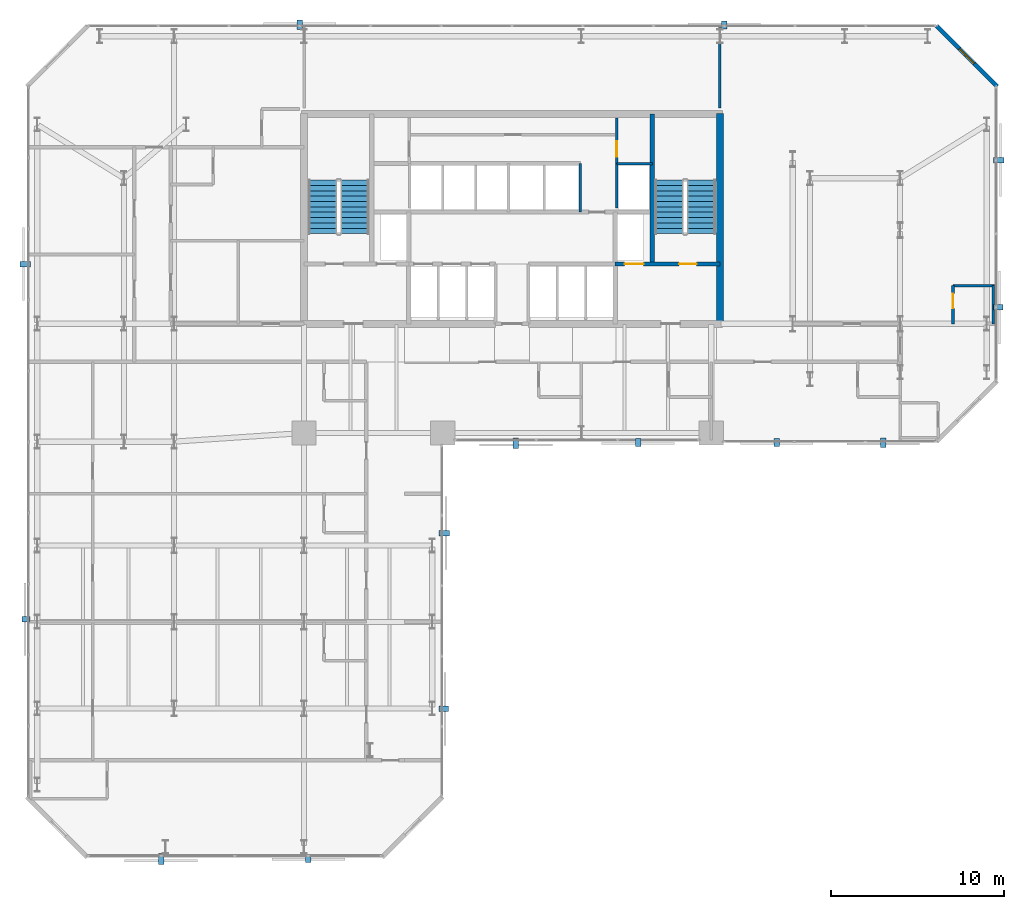
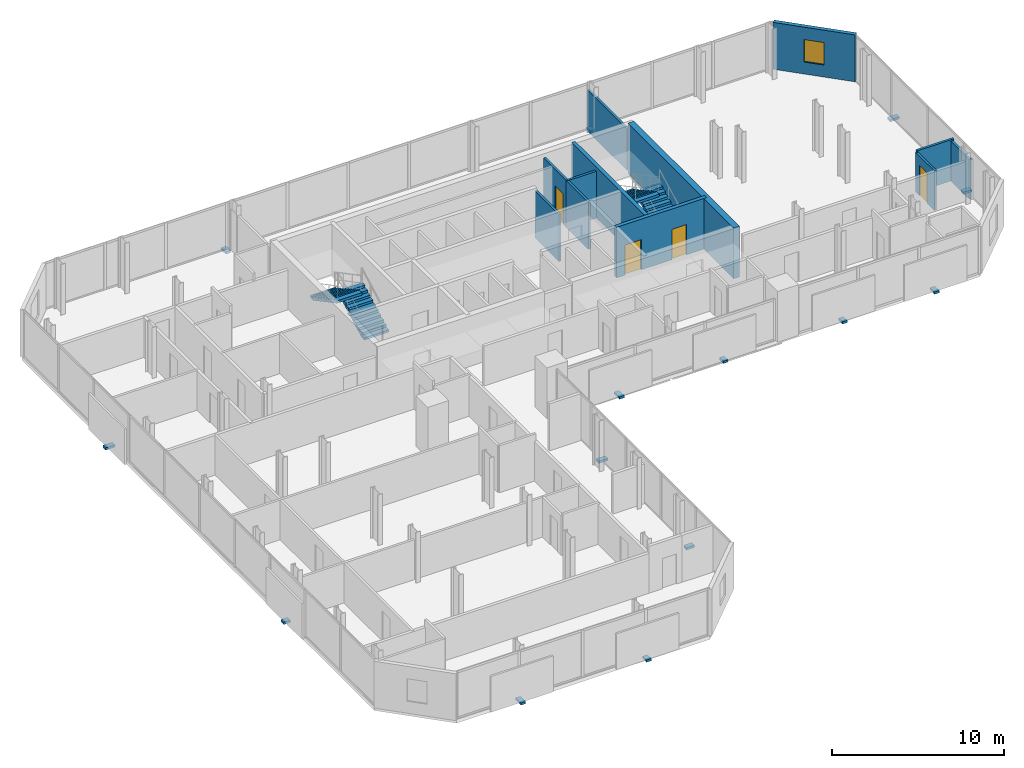
# One storey, part 31 of 33: 14 discrete accessories, 12 walls, 4 doors, 4 stair flights, 1 window, 5 openings, 2 elements without a shape of their own.
"""IFC4 building model written with IfcOpenShell, lengths in metres."""

from ifc_helpers import new_model, si_unit, direction, frame, frame_2d, origin, origin_2d, place, context, subcontext, project, spatial, polyline, rectangle, outline, extrude, material, layer, layer_set, type_object, element, fill, aggregate, save


model = new_model("IFC4")

# Units and contexts
model_context = context("Model", 3, precision=1e-05, world=origin(), true_north=direction((0.0, 1.0)))
body_context = subcontext(model_context, "Body", "Model", "MODEL_VIEW")
ifc_project = project(units=[si_unit("LENGTHUNIT", "METRE"), si_unit("AREAUNIT", "SQUARE_METRE"), si_unit("VOLUMEUNIT", "CUBIC_METRE"), si_unit("PLANEANGLEUNIT", "RADIAN"), si_unit("MASSUNIT", "GRAM", prefix="KILO")], contexts=[model_context])

# Site, building, storey
site_placement = place(None, origin())
site = spatial("IfcSite", under=ifc_project, at=site_placement, CompositionType="ELEMENT")
building_placement = place(site_placement, origin())
building = spatial("IfcBuilding", under=site, at=building_placement, Name="Catumbela Crestline Tower", CompositionType="ELEMENT")
storey_placement = place(building_placement, frame((0.0, 0.0, 47.4)))
storey = spatial("IfcBuildingStorey", under=building, at=storey_placement, Name="L11", CompositionType="ELEMENT", Elevation=47.4)

# Wall
ifc_material_1 = material(Name="Concrete C50/60", Category="concrete")
ifc_layer_1 = layer(ifc_material_1, 0.25, Name="Concrete C50/60")
ifc_layer_set_1 = layer_set([ifc_layer_1], Name="Concrete C50/60")
wall_type_1 = type_object("IfcWallType", Name="CW-250D", PredefinedType="SHEAR", material=ifc_layer_set_1)
wall_1_placement = place(storey_placement, frame((36.1, 34.25, 0.0), z_axis=(0.0, 0.0, 1.0), x_axis=(0.0, 1.0, 0.0)))
element("IfcWall", 1, at=wall_1_placement, inside=storey, type_object=wall_type_1, Name="L11 Structural Core Shear Wall EWEB", PredefinedType="SHEAR", context=body_context, shape_type="SweptSolid", body=[
    extrude(rectangle(XDim=8.65, YDim=0.25, at=frame_2d((4.325, 0.0))), origin(), (0.0, 0.0, 1.0), 3.6),
])

# Wall, openings, doors
wall_2_placement = place(storey_placement, frame((33.95, 34.25, 0.0), z_axis=(0.0, 0.0, 1.0), x_axis=(1.0, 0.0, 0.0)))
wall_2 = element("IfcWall", 2, at=wall_2_placement, inside=storey, type_object=wall_type_1, Name="L11 Structural Core Shear Wall ST2S", PredefinedType="SHEAR", context=body_context, shape_type="SweptSolid", body=[
    extrude(rectangle(XDim=6.05, YDim=0.25, at=frame_2d((3.025, 0.0))), origin(), (0.0, 0.0, 1.0), 3.6),
])
opening_1_placement = place(wall_2_placement, frame((3.7, 0.0, 0.0)))
opening_1 = element("IfcOpeningElement", 3, at=opening_1_placement, cuts=wall_2, Name="Opening DF9-100", PredefinedType="OPENING", context=body_context, shape_type="SweptSolid", body=[
    extrude(rectangle(XDim=1.0, YDim=2.15, at=frame_2d((0.5, 1.075))), frame((0.0, 0.135, 0.0), z_axis=(0.0, -1.0, 0.0), x_axis=(1.0, 0.0, 0.0)), (0.0, 0.0, 1.0), 0.27),
])
opening_2_placement = place(wall_2_placement, frame((0.55, 0.0, 0.0)))
opening_2 = element("IfcOpeningElement", 4, at=opening_2_placement, cuts=wall_2, Name="Opening LD-110", PredefinedType="OPENING", context=body_context, shape_type="SweptSolid", body=[
    extrude(rectangle(XDim=1.1, YDim=2.15, at=frame_2d((0.55, 1.075))), frame((0.0, 0.135, 0.0), z_axis=(0.0, -1.0, 0.0), x_axis=(1.0, 0.0, 0.0)), (0.0, 0.0, 1.0), 0.27),
])
ifc_material_2 = material(Name="Stainless steel EN 1.4401", Category="steel")
door_type_1 = type_object("IfcDoorType", Name="DF9-100", OperationType="NOTDEFINED", PredefinedType="DOOR", material=ifc_material_2)
door_1_placement = place(opening_1_placement, origin())
door_1 = element("IfcDoor", 5, at=door_1_placement, inside=storey, type_object=door_type_1, Name="L11 Interior Door DR-L11-ST02", OperationType="SINGLE_SWING_RIGHT", OverallHeight=2.15, OverallWidth=1.0, PredefinedType="DOOR", context=body_context, shape_type="SweptSolid", body=[
    extrude(rectangle(XDim=1.0, YDim=2.15, at=frame_2d((0.5, 1.075))), frame((0.0, 0.025, 0.0), z_axis=(0.0, -1.0, 0.0), x_axis=(1.0, 0.0, 0.0)), (0.0, 0.0, 1.0), 0.05),
])
fill(opening_1, door_1)
door_type_2 = type_object("IfcDoorType", Name="LD-110", OperationType="NOTDEFINED", PredefinedType="DOOR", material=ifc_material_2)
door_2_placement = place(opening_2_placement, origin())
door_2 = element("IfcDoor", 6, at=door_2_placement, inside=storey, type_object=door_type_2, Name="L11 Lift Landing Sliding Door FL-02", OperationType="DOUBLE_DOOR_SLIDING", OverallHeight=2.15, OverallWidth=1.1, PredefinedType="DOOR", context=body_context, shape_type="SweptSolid", body=[
    extrude(rectangle(XDim=1.1, YDim=2.15, at=frame_2d((0.55, 1.075))), frame((0.0, 0.025, 0.0), z_axis=(0.0, -1.0, 0.0), x_axis=(1.0, 0.0, 0.0)), (0.0, 0.0, 1.0), 0.05),
])
fill(opening_2, door_2)

# Wall
ifc_material_3 = material(Name="Concrete C60/75", Category="concrete")
ifc_layer_2 = layer(ifc_material_3, 0.4, Name="Concrete C60/75")
ifc_layer_set_2 = layer_set([ifc_layer_2], Name="Concrete C60/75")
wall_type_2 = type_object("IfcWallType", Name="CW-400A", PredefinedType="SHEAR", material=ifc_layer_set_2)
wall_3_placement = place(storey_placement, frame((40.0, 30.65, 0.0), z_axis=(0.0, 0.0, 1.0), x_axis=(0.0, 1.0, 0.0)))
element("IfcWall", 7, at=wall_3_placement, inside=storey, type_object=wall_type_2, Name="L11 Structural Core Shear Wall E", PredefinedType="SHEAR", context=body_context, shape_type="SweptSolid", body=[
    extrude(rectangle(XDim=12.3, YDim=0.4, at=frame_2d((6.15, 0.0))), origin(), (0.0, 0.0, 1.0), 3.6),
])

# Wall, opening, window
ifc_material_4 = material(Name="Angolan grey-ochre granite", Category="masonry")
ifc_layer_3 = layer(ifc_material_4, 0.25, Name="Angolan grey-ochre granite")
ifc_layer_set_3 = layer_set([ifc_layer_3], Name="Angolan grey-ochre granite")
wall_type_3 = type_object("IfcWallType", Name="WE-250", PredefinedType="STANDARD", material=ifc_layer_set_3)
wall_4_placement = place(storey_placement, frame((56.0, 44.5, 0.0), z_axis=(0.0, 0.0, 1.0), x_axis=(-0.707106781187, 0.707106781187, 0.0)))
wall_4 = element("IfcWall", 8, at=wall_4_placement, inside=storey, type_object=wall_type_3, Name="L11 Granite Punched Window Wall 6-1", PredefinedType="STANDARD", context=body_context, shape_type="SweptSolid", body=[
    extrude(rectangle(XDim=4.9497, YDim=0.25, at=frame_2d((2.4748, 0.0))), origin(), (0.0, 0.0, 1.0), 3.33),
])
opening_3_placement = place(wall_4_placement, frame((1.8748, 0.0, 0.85)))
opening_3 = element("IfcOpeningElement", 9, at=opening_3_placement, cuts=wall_4, Name="Opening WN-02", PredefinedType="OPENING", context=body_context, shape_type="SweptSolid", body=[
    extrude(rectangle(XDim=1.2, YDim=1.6, at=frame_2d((0.6, 0.8))), frame((0.0, 0.135, 0.0), z_axis=(0.0, -1.0, 0.0), x_axis=(1.0, 0.0, 0.0)), (0.0, 0.0, 1.0), 0.27),
])
ifc_material_5 = material(Name="Low-E laminated solar-control double glazing", Category="glass")
window_type = type_object("IfcWindowType", Name="WO-1200", PartitioningType="SINGLE_PANEL", PredefinedType="WINDOW", material=ifc_material_5)
window_placement = place(opening_3_placement, origin())
window = element("IfcWindow", 10, at=window_placement, inside=storey, type_object=window_type, Name="L11 Facade Vision Window 80", OverallHeight=1.6, OverallWidth=1.2, PartitioningType="SINGLE_PANEL", PredefinedType="WINDOW", context=body_context, shape_type="SweptSolid", body=[
    extrude(rectangle(XDim=1.2, YDim=1.6, at=frame_2d((0.6, 0.8))), frame((0.0, 0.03, 0.0), z_axis=(0.0, -1.0, 0.0), x_axis=(1.0, 0.0, 0.0)), (0.0, 0.0, 1.0), 0.06),
])
fill(opening_3, window)

# Wall
ifc_material_6 = material(Name="Acoustic gypsum and mineral-wool partition")
ifc_layer_4 = layer(ifc_material_6, 0.15, Name="Acoustic gypsum and mineral-wool partition")
ifc_layer_set_4 = layer_set([ifc_layer_4], Name="Acoustic gypsum and mineral-wool partition")
wall_type_4 = type_object("IfcWallType", Name="WP-150", PredefinedType="PARTITIONING", material=ifc_layer_set_4)
wall_5_placement = place(storey_placement, frame((34.05, 40.05, 0.0), z_axis=(0.0, 0.0, 1.0), x_axis=(1.0, 0.0, 0.0)))
element("IfcWall", 11, at=wall_5_placement, inside=storey, type_object=wall_type_4, Name="L11 Interior Partition PW-L11-CR-ES", PredefinedType="PARTITIONING", context=body_context, shape_type="SweptSolid", body=[
    extrude(rectangle(XDim=2.05, YDim=0.15, at=frame_2d((1.025, 0.0))), origin(), (0.0, 0.0, 1.0), 3.33),
])

# Wall, opening, door
wall_6_placement = place(storey_placement, frame((34.05, 40.05, 0.0), z_axis=(0.0, 0.0, 1.0), x_axis=(0.0, 1.0, 0.0)))
wall_6 = element("IfcWall", 12, at=wall_6_placement, inside=storey, type_object=wall_type_4, Name="L11 Interior Partition PW-L11-CR-EW", PredefinedType="PARTITIONING", context=body_context, shape_type="SweptSolid", body=[
    extrude(rectangle(XDim=2.63, YDim=0.15, at=frame_2d((1.315, 0.0))), origin(), (0.0, 0.0, 1.0), 3.33),
])
opening_4_placement = place(wall_6_placement, frame((0.385, 0.0, 0.0)))
opening_4 = element("IfcOpeningElement", 13, at=opening_4_placement, cuts=wall_6, Name="Opening DF9-090", PredefinedType="OPENING", context=body_context, shape_type="SweptSolid", body=[
    extrude(rectangle(XDim=0.9, YDim=2.15, at=frame_2d((0.45, 1.075))), frame((0.0, 0.085, 0.0), z_axis=(0.0, -1.0, 0.0), x_axis=(1.0, 0.0, 0.0)), (0.0, 0.0, 1.0), 0.17),
])
door_type_3 = type_object("IfcDoorType", Name="DF9-090", OperationType="NOTDEFINED", PredefinedType="DOOR", material=ifc_material_2)
door_3_placement = place(opening_4_placement, origin())
door_3 = element("IfcDoor", 14, at=door_3_placement, inside=storey, type_object=door_type_3, Name="L11 Interior Door DR-L11-CREAST", OperationType="SINGLE_SWING_RIGHT", OverallHeight=2.15, OverallWidth=0.9, PredefinedType="DOOR", context=body_context, shape_type="SweptSolid", body=[
    extrude(rectangle(XDim=0.9, YDim=2.15, at=frame_2d((0.45, 1.075))), frame((0.0, 0.025, 0.0), z_axis=(0.0, -1.0, 0.0), x_axis=(1.0, 0.0, 0.0)), (0.0, 0.0, 1.0), 0.05),
])
fill(opening_4, door_3)

# Walls
wall_7_placement = place(storey_placement, frame((40.0, 43.27, 0.0), z_axis=(0.0, 0.0, 1.0), x_axis=(0.0, 1.0, 0.0)))
element("IfcWall", 15, at=wall_7_placement, inside=storey, type_object=wall_type_4, Name="L11 Interior Partition PW-L11-NCF-E", PredefinedType="PARTITIONING", context=body_context, shape_type="SweptSolid", body=[
    extrude(rectangle(XDim=4.63, YDim=0.15, at=frame_2d((2.315, 0.0))), origin(), (0.0, 0.0, 1.0), 2.93),
])
wall_8_placement = place(storey_placement, frame((53.45, 33.0, 0.0), z_axis=(0.0, 0.0, 1.0), x_axis=(1.0, 0.0, 0.0)))
element("IfcWall", 16, at=wall_8_placement, inside=storey, type_object=wall_type_4, Name="L11 Interior Partition PW-L11-NES-BHW", PredefinedType="PARTITIONING", context=body_context, shape_type="SweptSolid", body=[
    extrude(rectangle(XDim=2.45, YDim=0.15, at=frame_2d((1.225, 0.0))), origin(), (0.0, 0.0, 1.0), 2.93),
])

# Wall, opening, door
wall_9_placement = place(storey_placement, frame((53.45, 30.8, 0.0), z_axis=(0.0, 0.0, 1.0), x_axis=(0.0, 1.0, 0.0)))
wall_9 = element("IfcWall", 17, at=wall_9_placement, inside=storey, type_object=wall_type_4, Name="L11 Interior Partition PW-L11-NES-BWW", PredefinedType="PARTITIONING", context=body_context, shape_type="SweptSolid", body=[
    extrude(rectangle(XDim=2.2, YDim=0.15, at=frame_2d((1.1, 0.0))), origin(), (0.0, 0.0, 1.0), 2.82),
])
opening_5_placement = place(wall_9_placement, frame((0.8925, 0.0, 0.0)))
opening_5 = element("IfcOpeningElement", 18, at=opening_5_placement, cuts=wall_9, Name="Opening DI-085", PredefinedType="OPENING", context=body_context, shape_type="SweptSolid", body=[
    extrude(rectangle(XDim=0.85, YDim=2.15, at=frame_2d((0.425, 1.075))), frame((0.0, 0.085, 0.0), z_axis=(0.0, -1.0, 0.0), x_axis=(1.0, 0.0, 0.0)), (0.0, 0.0, 1.0), 0.17),
])
ifc_material_7 = material(Name="Aluminium alloy AW-6060-T66", Category="aluminium")
door_type_4 = type_object("IfcDoorType", Name="DI-085", OperationType="NOTDEFINED", PredefinedType="DOOR", material=ifc_material_7)
door_4_placement = place(opening_5_placement, origin())
door_4 = element("IfcDoor", 19, at=door_4_placement, inside=storey, type_object=door_type_4, Name="L11 Interior Door DR-L11-NES-BTH", OperationType="SINGLE_SWING_RIGHT", OverallHeight=2.15, OverallWidth=0.85, PredefinedType="DOOR", context=body_context, shape_type="SweptSolid", body=[
    extrude(rectangle(XDim=0.85, YDim=2.15, at=frame_2d((0.425, 1.075))), frame((0.0, 0.025, 0.0), z_axis=(0.0, -1.0, 0.0), x_axis=(1.0, 0.0, 0.0)), (0.0, 0.0, 1.0), 0.05),
])
fill(opening_5, door_4)

# Walls
wall_10_placement = place(storey_placement, frame((55.78, 33.0, 0.0), z_axis=(0.0, 0.0, 1.0), x_axis=(0.0, -1.0, 0.0)))
element("IfcWall", 20, at=wall_10_placement, inside=storey, type_object=wall_type_4, Name="L11 Interior Partition PW-L11-NES-BCL-2", PredefinedType="PARTITIONING", context=body_context, shape_type="SweptSolid", body=[
    extrude(rectangle(XDim=2.2, YDim=0.15, at=frame_2d((1.1, 0.0))), origin(), (0.0, 0.0, 1.0), 2.82),
])
ifc_layer_5 = layer(ifc_material_6, 0.15, Name="Acoustic gypsum and mineral-wool partition")
ifc_layer_set_5 = layer_set([ifc_layer_5], Name="Acoustic gypsum and mineral-wool partition")
wall_type_5 = type_object("IfcWallType", Name="WS-150", PredefinedType="PLUMBINGWALL", material=ifc_layer_set_5)
wall_11_placement = place(storey_placement, frame((31.95, 37.25, 0.0), z_axis=(0.0, 0.0, 1.0), x_axis=(0.0, 1.0, 0.0)))
element("IfcWall", 21, at=wall_11_placement, inside=storey, type_object=wall_type_5, Name="L11 Interior Partition PW-L11-SHEX2E", PredefinedType="PLUMBINGWALL", context=body_context, shape_type="SweptSolid", body=[
    extrude(rectangle(XDim=2.8, YDim=0.15, at=frame_2d((1.4, 0.0))), origin(), (0.0, 0.0, 1.0), 3.33),
])
wall_12_placement = place(storey_placement, frame((34.05, 37.4734, 0.0), z_axis=(0.0, 0.0, 1.0), x_axis=(0.0, 1.0, 0.0)))
element("IfcWall", 22, at=wall_12_placement, inside=storey, type_object=wall_type_5, Name="L11 Interior Partition PW-L11-RISW", PredefinedType="PLUMBINGWALL", context=body_context, shape_type="SweptSolid", body=[
    extrude(rectangle(XDim=2.5766, YDim=0.15, at=frame_2d((1.2883, 0.0))), origin(), (0.0, 0.0, 1.0), 3.33),
])

# Stair, stair flights
ifc_material_8 = material(Name="Concrete C45/55", Category="concrete")
stair_type = type_object("IfcStairType", Name="ST-DLG", PredefinedType="HALF_TURN_STAIR", material=ifc_material_8)
stair_1_placement = place(storey_placement, origin())
stair_1 = element("IfcStair", 23, at=stair_1_placement, inside=storey, type_object=stair_type, Name="L11 West Core Pressurised Exit Stair ST-01", PredefinedType="HALF_TURN_STAIR")
stair_flight_type = type_object("IfcStairFlightType", Name="SF-1636", PredefinedType="STRAIGHT", material=ifc_material_8)
stair_flight_1_placement = place(storey_placement, frame((18.92, 36.0, 0.0), z_axis=(0.0, 0.0, 1.0), x_axis=(0.0, 1.0, 0.0)))
stair_flight_1 = element("IfcStairFlight", 24, at=stair_flight_1_placement, type_object=stair_flight_type, Name="ST-01 flight 1", NumberOfRisers=11, NumberOfTreads=10, PredefinedType="STRAIGHT", RiserHeight=0.163636364, TreadLength=0.31, context=body_context, shape_type="SweptSolid", body=[
    extrude(outline(polyline([(0.0, 0.0), (0.0, 0.1636), (0.31, 0.1636), (0.31, 0.3273), (0.62, 0.3273), (0.62, 0.4909), (0.93, 0.4909), (0.93, 0.6545), (1.24, 0.6545), (1.24, 0.8182), (1.55, 0.8182), (1.55, 0.9818), (1.86, 0.9818), (1.86, 1.1455), (2.17, 1.1455), (2.17, 1.3091), (2.48, 1.3091), (2.48, 1.4727), (2.79, 1.4727), (2.79, 1.6364), (3.1, 1.6364), (3.1, 1.8), (3.1, 1.4554), (0.3427, 0.0), (0.0, 0.0)])), frame((0.0, 0.83, 0.0), z_axis=(0.0, -1.0, 0.0), x_axis=(1.0, 0.0, 0.0)), (0.0, 0.0, 1.0), 1.66),
])
stair_flight_2_placement = place(storey_placement, frame((17.08, 39.1, 1.8), z_axis=(0.0, 0.0, 1.0), x_axis=(0.0, -1.0, 0.0)))
stair_flight_2 = element("IfcStairFlight", 25, at=stair_flight_2_placement, type_object=stair_flight_type, Name="ST-01 flight 2", NumberOfRisers=11, NumberOfTreads=10, PredefinedType="STRAIGHT", RiserHeight=0.163636364, TreadLength=0.31, context=body_context, shape_type="SweptSolid", body=[
    extrude(outline(polyline([(0.0, 0.0), (0.0, 0.1636), (0.31, 0.1636), (0.31, 0.3273), (0.62, 0.3273), (0.62, 0.4909), (0.93, 0.4909), (0.93, 0.6545), (1.24, 0.6545), (1.24, 0.8182), (1.55, 0.8182), (1.55, 0.9818), (1.86, 0.9818), (1.86, 1.1455), (2.17, 1.1455), (2.17, 1.3091), (2.48, 1.3091), (2.48, 1.4727), (2.79, 1.4727), (2.79, 1.6364), (3.1, 1.6364), (3.1, 1.8), (3.1, 1.4554), (0.3427, 0.0), (0.0, 0.0)])), frame((0.0, 0.83, 0.0), z_axis=(0.0, -1.0, 0.0), x_axis=(1.0, 0.0, 0.0)), (0.0, 0.0, 1.0), 1.66),
])
aggregate(stair_1, [stair_flight_1, stair_flight_2])

stair_2_placement = place(storey_placement, origin())
stair_2 = element("IfcStair", 26, at=stair_2_placement, inside=storey, type_object=stair_type, Name="L11 East Core Pressurised Exit Stair ST-02", PredefinedType="HALF_TURN_STAIR")
stair_flight_3_placement = place(storey_placement, frame((38.92, 36.0, 0.0), z_axis=(0.0, 0.0, 1.0), x_axis=(0.0, 1.0, 0.0)))
stair_flight_3 = element("IfcStairFlight", 27, at=stair_flight_3_placement, type_object=stair_flight_type, Name="ST-02 flight 1", NumberOfRisers=11, NumberOfTreads=10, PredefinedType="STRAIGHT", RiserHeight=0.163636364, TreadLength=0.31, context=body_context, shape_type="SweptSolid", body=[
    extrude(outline(polyline([(0.0, 0.0), (0.0, 0.1636), (0.31, 0.1636), (0.31, 0.3273), (0.62, 0.3273), (0.62, 0.4909), (0.93, 0.4909), (0.93, 0.6545), (1.24, 0.6545), (1.24, 0.8182), (1.55, 0.8182), (1.55, 0.9818), (1.86, 0.9818), (1.86, 1.1455), (2.17, 1.1455), (2.17, 1.3091), (2.48, 1.3091), (2.48, 1.4727), (2.79, 1.4727), (2.79, 1.6364), (3.1, 1.6364), (3.1, 1.8), (3.1, 1.4554), (0.3427, 0.0), (0.0, 0.0)])), frame((0.0, 0.83, 0.0), z_axis=(0.0, -1.0, 0.0), x_axis=(1.0, 0.0, 0.0)), (0.0, 0.0, 1.0), 1.66),
])
stair_flight_4_placement = place(storey_placement, frame((37.08, 39.1, 1.8), z_axis=(0.0, 0.0, 1.0), x_axis=(0.0, -1.0, 0.0)))
stair_flight_4 = element("IfcStairFlight", 28, at=stair_flight_4_placement, type_object=stair_flight_type, Name="ST-02 flight 2", NumberOfRisers=11, NumberOfTreads=10, PredefinedType="STRAIGHT", RiserHeight=0.163636364, TreadLength=0.31, context=body_context, shape_type="SweptSolid", body=[
    extrude(outline(polyline([(0.0, 0.0), (0.0, 0.1636), (0.31, 0.1636), (0.31, 0.3273), (0.62, 0.3273), (0.62, 0.4909), (0.93, 0.4909), (0.93, 0.6545), (1.24, 0.6545), (1.24, 0.8182), (1.55, 0.8182), (1.55, 0.9818), (1.86, 0.9818), (1.86, 1.1455), (2.17, 1.1455), (2.17, 1.3091), (2.48, 1.3091), (2.48, 1.4727), (2.79, 1.4727), (2.79, 1.6364), (3.1, 1.6364), (3.1, 1.8), (3.1, 1.4554), (0.3427, 0.0), (0.0, 0.0)])), frame((0.0, 0.83, 0.0), z_axis=(0.0, -1.0, 0.0), x_axis=(1.0, 0.0, 0.0)), (0.0, 0.0, 1.0), 1.66),
])
aggregate(stair_2, [stair_flight_3, stair_flight_4])

# Discrete accessories
discrete_accessory_type = type_object("IfcDiscreteAccessoryType", Name="BK-SS1", PredefinedType="BRACKET", material=ifc_material_2)
discrete_accessory_1_placement = place(storey_placement, frame((7.75, -0.085, -0.18), z_axis=(0.0, 0.0, 1.0), x_axis=(1.0, 0.0, 0.0)))
element("IfcDiscreteAccessory", 29, at=discrete_accessory_1_placement, inside=storey, type_object=discrete_accessory_type, Name="L11 Solar Screen Stainless Bracket 85", PredefinedType="BRACKET", context=body_context, shape_type="SweptSolid", body=[
    extrude(rectangle(XDim=0.32, YDim=0.62, at=origin_2d()), origin(), (0.0, 0.0, 1.0), 0.16),
])
discrete_accessory_2_placement = place(storey_placement, frame((16.25, -0.045, -0.18), z_axis=(0.0, 0.0, 1.0), x_axis=(1.0, 0.0, 0.0)))
element("IfcDiscreteAccessory", 30, at=discrete_accessory_2_placement, inside=storey, type_object=discrete_accessory_type, Name="L11 Solar Screen Stainless Bracket 86", PredefinedType="BRACKET", context=body_context, shape_type="SweptSolid", body=[
    extrude(rectangle(XDim=0.32, YDim=0.46, at=origin_2d()), origin(), (0.0, 0.0, 1.0), 0.16),
])
discrete_accessory_3_placement = place(storey_placement, frame((24.065, 8.575, -0.18), z_axis=(0.0, 0.0, 1.0), x_axis=(0.0, 1.0, 0.0)))
element("IfcDiscreteAccessory", 31, at=discrete_accessory_3_placement, inside=storey, type_object=discrete_accessory_type, Name="L11 Solar Screen Stainless Bracket 87", PredefinedType="BRACKET", context=body_context, shape_type="SweptSolid", body=[
    extrude(rectangle(XDim=0.32, YDim=0.54, at=origin_2d()), origin(), (0.0, 0.0, 1.0), 0.16),
])
for number, where, z_axis, x_axis, name in (
    (32, (24.085, 18.725, -0.18), (0.0, 0.0, 1.0), (0.0, 1.0, 0.0), "L11 Solar Screen Stainless Bracket 88"),
    (33, (28.225, 23.915, -0.18), (0.0, 0.0, 1.0), (1.0, 0.0, 0.0), "L11 Solar Screen Stainless Bracket 89"),
):
    element("IfcDiscreteAccessory", number, at=place(storey_placement, frame(where, z_axis=z_axis, x_axis=x_axis)), inside=storey, type_object=discrete_accessory_type, Name=name, PredefinedType="BRACKET", context=body_context, shape_type="SweptSolid", body=[
        extrude(rectangle(XDim=0.32, YDim=0.62, at=origin_2d()), origin(), (0.0, 0.0, 1.0), 0.16),
    ])
for number, where, z_axis, x_axis, name in (
    (34, (35.275, 23.955, -0.18), (0.0, 0.0, 1.0), (1.0, 0.0, 0.0), "L11 Solar Screen Stainless Bracket 90"),
    (35, (43.275, 23.955, -0.18), (0.0, 0.0, 1.0), (1.0, 0.0, 0.0), "L11 Solar Screen Stainless Bracket 91"),
):
    element("IfcDiscreteAccessory", number, at=place(storey_placement, frame(where, z_axis=z_axis, x_axis=x_axis)), inside=storey, type_object=discrete_accessory_type, Name=name, PredefinedType="BRACKET", context=body_context, shape_type="SweptSolid", body=[
        extrude(rectangle(XDim=0.32, YDim=0.46, at=origin_2d()), origin(), (0.0, 0.0, 1.0), 0.16),
    ])
for number, where, z_axis, x_axis, name in (
    (36, (49.425, 23.935, -0.18), (0.0, 0.0, 1.0), (1.0, 0.0, 0.0), "L11 Solar Screen Stainless Bracket 92"),
    (37, (56.065, 31.75, -0.18), (0.0, 0.0, 1.0), (0.0, 1.0, 0.0), "L11 Solar Screen Stainless Bracket 93"),
):
    element("IfcDiscreteAccessory", number, at=place(storey_placement, frame(where, z_axis=z_axis, x_axis=x_axis)), inside=storey, type_object=discrete_accessory_type, Name=name, PredefinedType="BRACKET", context=body_context, shape_type="SweptSolid", body=[
        extrude(rectangle(XDim=0.32, YDim=0.54, at=origin_2d()), origin(), (0.0, 0.0, 1.0), 0.16),
    ])
discrete_accessory_4_placement = place(storey_placement, frame((56.085, 40.25, -0.18), z_axis=(0.0, 0.0, 1.0), x_axis=(0.0, 1.0, 0.0)))
element("IfcDiscreteAccessory", 38, at=discrete_accessory_4_placement, inside=storey, type_object=discrete_accessory_type, Name="L11 Solar Screen Stainless Bracket 94", PredefinedType="BRACKET", context=body_context, shape_type="SweptSolid", body=[
    extrude(rectangle(XDim=0.32, YDim=0.62, at=origin_2d()), origin(), (0.0, 0.0, 1.0), 0.16),
])
discrete_accessory_5_placement = place(storey_placement, frame((40.25, 48.045, -0.18), z_axis=(0.0, 0.0, 1.0), x_axis=(-1.0, 0.0, 0.0)))
element("IfcDiscreteAccessory", 39, at=discrete_accessory_5_placement, inside=storey, type_object=discrete_accessory_type, Name="L11 Solar Screen Stainless Bracket 95", PredefinedType="BRACKET", context=body_context, shape_type="SweptSolid", body=[
    extrude(rectangle(XDim=0.32, YDim=0.46, at=origin_2d()), origin(), (0.0, 0.0, 1.0), 0.16),
])
discrete_accessory_6_placement = place(storey_placement, frame((15.75, 48.065, -0.18), z_axis=(0.0, 0.0, 1.0), x_axis=(-1.0, 0.0, 0.0)))
element("IfcDiscreteAccessory", 40, at=discrete_accessory_6_placement, inside=storey, type_object=discrete_accessory_type, Name="L11 Solar Screen Stainless Bracket 96", PredefinedType="BRACKET", context=body_context, shape_type="SweptSolid", body=[
    extrude(rectangle(XDim=0.32, YDim=0.54, at=origin_2d()), origin(), (0.0, 0.0, 1.0), 0.16),
])
discrete_accessory_7_placement = place(storey_placement, frame((-0.085, 34.25, -0.18), z_axis=(0.0, 0.0, 1.0), x_axis=(0.0, -1.0, 0.0)))
element("IfcDiscreteAccessory", 41, at=discrete_accessory_7_placement, inside=storey, type_object=discrete_accessory_type, Name="L11 Solar Screen Stainless Bracket 97", PredefinedType="BRACKET", context=body_context, shape_type="SweptSolid", body=[
    extrude(rectangle(XDim=0.32, YDim=0.62, at=origin_2d()), origin(), (0.0, 0.0, 1.0), 0.16),
])
discrete_accessory_8_placement = place(storey_placement, frame((-0.045, 13.75, -0.18), z_axis=(0.0, 0.0, 1.0), x_axis=(0.0, -1.0, 0.0)))
element("IfcDiscreteAccessory", 42, at=discrete_accessory_8_placement, inside=storey, type_object=discrete_accessory_type, Name="L11 Solar Screen Stainless Bracket 98", PredefinedType="BRACKET", context=body_context, shape_type="SweptSolid", body=[
    extrude(rectangle(XDim=0.32, YDim=0.46, at=origin_2d()), origin(), (0.0, 0.0, 1.0), 0.16),
])

save(model, "model.ifc")
